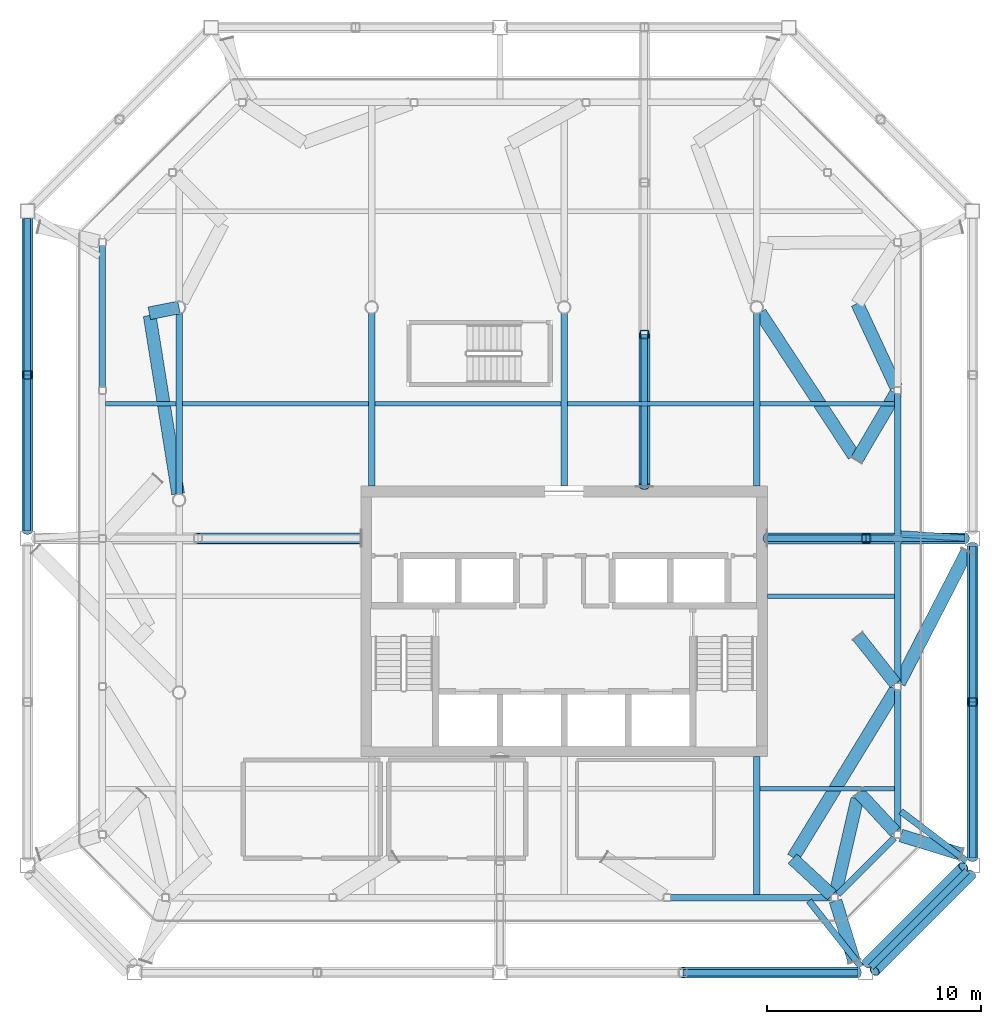
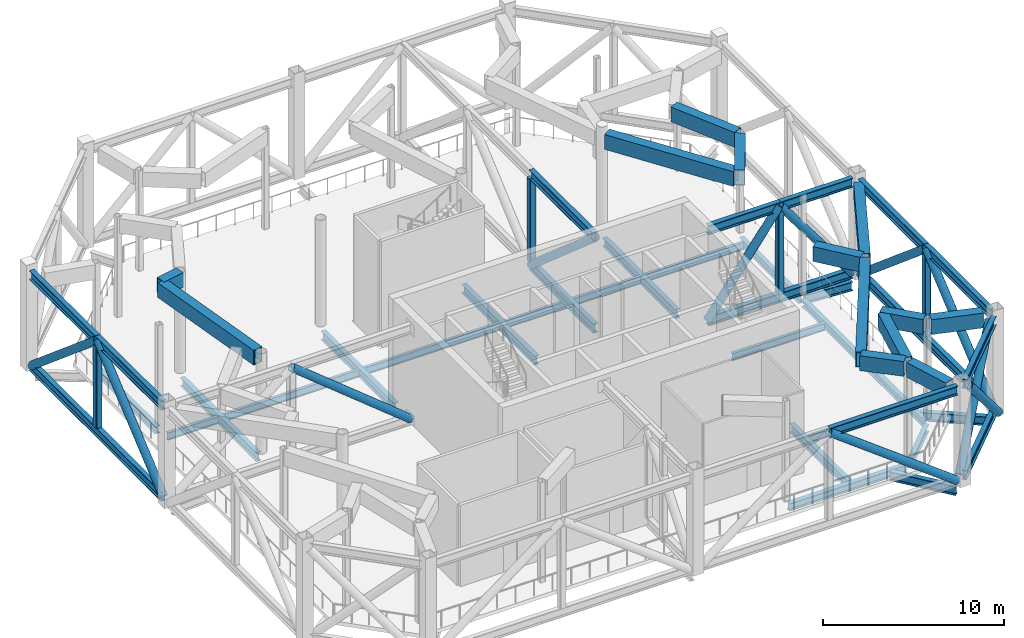
# One storey, part 4 of 17: 49 beams, 15 members.
"""IFC4 building model written with IfcOpenShell, lengths in metres."""

from ifc_helpers import new_model, si_unit, direction, frame, origin, origin_2d, place, context, subcontext, project, spatial, hollow_rectangle, hollow_circle, i_section, extrude, material, material_profile, profile_set, type_object, element, save


model = new_model("IFC4")

# Units and contexts
model_context = context("Model", 3, precision=1e-05, world=origin(), true_north=direction((0.0, 1.0)))
body_context = subcontext(model_context, "Body", "Model", "MODEL_VIEW")
ifc_project = project(units=[si_unit("LENGTHUNIT", "METRE"), si_unit("AREAUNIT", "SQUARE_METRE"), si_unit("VOLUMEUNIT", "CUBIC_METRE"), si_unit("PLANEANGLEUNIT", "RADIAN"), si_unit("MASSUNIT", "GRAM", prefix="KILO")], contexts=[model_context])

# Site, building, storey
site_placement = place(None, origin())
site = spatial("IfcSite", under=ifc_project, at=site_placement, CompositionType="ELEMENT")
building_placement = place(site_placement, origin())
building = spatial("IfcBuilding", under=site, at=building_placement, Name="Tskaro Facet Tower", CompositionType="ELEMENT")
storey_placement = place(building_placement, frame((0.0, 0.0, 210.0)))
storey = spatial("IfcBuildingStorey", under=building, at=storey_placement, Name="L54", CompositionType="ELEMENT", Elevation=210.0)

# Beams
ifc_material_1 = material(Name="Steel S355J2", Category="steel")
ifc_material_profile_1 = material_profile(ifc_material_1, hollow_rectangle(XDim=0.60009765625, YDim=1.0, WallThickness=0.0400390625, at=origin_2d()), Name="BOX 600x1000x40")
ifc_profile_set_1 = profile_set([ifc_material_profile_1], Name="Steel S355J2")
beam_type_1 = type_object("IfcBeamType", Name="BOX 600x1000x40 transfer girder", PredefinedType="BEAM", material=ifc_profile_set_1)
beam_1_placement = place(storey_placement, frame((18.833251953125, -2.40185546875, 6.280029296875), z_axis=(-0.457857092159, -0.889025805677, 0.0), x_axis=(0.889025805677, -0.457857092159, 0.0)))
element("IfcBeam", 1, at=beam_1_placement, inside=storey, type_object=beam_type_1, Name="BOX 600x1000x40 TG5-1", PredefinedType="BEAM", context=body_context, shape_type="SweptSolid", body=[
    extrude(hollow_rectangle(XDim=0.60009765625, YDim=1.0, WallThickness=0.0400390625, at=origin_2d()), origin(), (0.0, 0.0, 1.0), 6.93408203125),
])
for number, where, z_axis, x_axis, name in (
    (2, (13.556884765625, -21.559814453125, 6.280029296875), (-0.296409620077, 0.955060907548, 0.0), (-0.955060907548, -0.296409620077, 0.0), "BOX 600x1000x40 TG5-3"),
    (3, (18.559814453125, -16.556884765625, 6.280029296875), (-0.955060907548, 0.296409620077, 0.0), (-0.296409620077, -0.955060907548, 0.0), "BOX 600x1000x40 TG5-5"),
):
    element("IfcBeam", number, at=place(storey_placement, frame(where, z_axis=z_axis, x_axis=x_axis)), inside=storey, type_object=beam_type_1, Name=name, PredefinedType="BEAM", context=body_context, shape_type="SweptSolid", body=[
        extrude(hollow_rectangle(XDim=0.60009765625, YDim=1.0, WallThickness=0.0400390625, at=origin_2d()), origin(), (0.0, 0.0, 1.0), 2.951904296875),
    ])
beam_2_placement = place(storey_placement, frame((-19.39111328125, 8.72509765625, 6.280029296875), z_axis=(0.981028383431, 0.193864155799, 0.0), x_axis=(-0.193864155799, 0.981028383431, 0.0)))
element("IfcBeam", 4, at=beam_2_placement, inside=storey, type_object=beam_type_1, Name="BOX 600x1000x40 TG5-11", PredefinedType="BEAM", context=body_context, shape_type="SweptSolid", body=[
    extrude(hollow_rectangle(XDim=0.60009765625, YDim=1.0, WallThickness=0.0400390625, at=origin_2d()), origin(), (0.0, 0.0, 1.0), 1.41796875),
])
beam_3_placement = place(storey_placement, frame((-19.375244140625, 8.626220703125, 6.280029296875), z_axis=(0.157443322787, -0.987528024974, 0.0), x_axis=(0.987528024974, 0.157443322787, 0.0)))
element("IfcBeam", 5, at=beam_3_placement, inside=storey, type_object=beam_type_1, Name="BOX 600x1000x40 TG5-12", PredefinedType="BEAM", context=body_context, shape_type="SweptSolid", body=[
    extrude(hollow_rectangle(XDim=0.60009765625, YDim=1.0, WallThickness=0.0400390625, at=origin_2d()), origin(), (0.0, 0.0, 1.0), 8.440185546875),
])
beam_4_placement = place(storey_placement, frame((10.67138671875, -16.764892578125, 6.280029296875), z_axis=(0.733399539589, -0.679797848872, 0.0), x_axis=(0.679797848872, 0.733399539589, 0.0)))
element("IfcBeam", 6, at=beam_4_placement, inside=storey, type_object=beam_type_1, Name="BOX 600x1000x40 TG5-16", PredefinedType="BEAM", context=body_context, shape_type="SweptSolid", body=[
    extrude(hollow_rectangle(XDim=0.60009765625, YDim=1.0, WallThickness=0.0400390625, at=origin_2d()), origin(), (0.0, 0.0, 1.0), 2.509765625),
])
beam_5_placement = place(storey_placement, frame((10.70263671875, -16.713623046875, 6.280029296875), z_axis=(0.520752631069, 0.853707618119, 0.0), x_axis=(-0.853707618119, 0.520752631069, 0.0)))
element("IfcBeam", 7, at=beam_5_placement, inside=storey, type_object=beam_type_1, Name="BOX 600x1000x40 TG5-17", PredefinedType="BEAM", context=body_context, shape_type="SweptSolid", body=[
    extrude(hollow_rectangle(XDim=0.60009765625, YDim=1.0, WallThickness=0.0400390625, at=origin_2d()), origin(), (0.0, 0.0, 1.0), 9.206787109375),
])
beam_6_placement = place(storey_placement, frame((13.764892578125, -13.67138671875, 6.280029296875), z_axis=(0.679797848872, -0.733399539589, 0.0), x_axis=(0.733399539589, 0.679797848872, 0.0)))
element("IfcBeam", 8, at=beam_6_placement, inside=storey, type_object=beam_type_1, Name="BOX 600x1000x40 TG5-18", PredefinedType="BEAM", context=body_context, shape_type="SweptSolid", body=[
    extrude(hollow_rectangle(XDim=0.60009765625, YDim=1.0, WallThickness=0.0400390625, at=origin_2d()), origin(), (0.0, 0.0, 1.0), 2.509765625),
])
beam_7_placement = place(storey_placement, frame((13.697509765625, -13.963623046875, 6.280029296875), z_axis=(-0.224539932658, -0.974464888358, 0.0), x_axis=(0.974464888358, -0.224539932658, 0.0)))
element("IfcBeam", 9, at=beam_7_placement, inside=storey, type_object=beam_type_1, Name="BOX 600x1000x40 TG5-19", PredefinedType="BEAM", context=body_context, shape_type="SweptSolid", body=[
    extrude(hollow_rectangle(XDim=0.60009765625, YDim=1.0, WallThickness=0.0400390625, at=origin_2d()), origin(), (0.0, 0.0, 1.0), 4.575439453125),
])
beam_8_placement = place(storey_placement, frame((13.73193359375, -6.36865234375, 6.280029296875), z_axis=(0.619691972879, -0.784845117682, 0.0), x_axis=(0.784845117682, 0.619691972879, 0.0)))
element("IfcBeam", 10, at=beam_8_placement, inside=storey, type_object=beam_type_1, Name="BOX 600x1000x40 TG5-24", PredefinedType="BEAM", context=body_context, shape_type="SweptSolid", body=[
    extrude(hollow_rectangle(XDim=0.60009765625, YDim=1.0, WallThickness=0.0400390625, at=origin_2d()), origin(), (0.0, 0.0, 1.0), 2.822021484375),
])
beam_9_placement = place(storey_placement, frame((13.66943359375, 1.8681640625, 6.280029296875), z_axis=(0.506494421335, 0.862243237814, 0.0), x_axis=(-0.862243237814, 0.506494421335, 0.0)))
element("IfcBeam", 11, at=beam_9_placement, inside=storey, type_object=beam_type_1, Name="BOX 600x1000x40 TG5-27", PredefinedType="BEAM", context=body_context, shape_type="SweptSolid", body=[
    extrude(hollow_rectangle(XDim=0.60009765625, YDim=1.0, WallThickness=0.0400390625, at=origin_2d()), origin(), (0.0, 0.0, 1.0), 3.61328125),
])
beam_10_placement = place(storey_placement, frame((13.5380859375, 2.069091796875, 6.280029296875), z_axis=(-0.54778441361, 0.836619528942, 0.0), x_axis=(-0.836619528942, -0.54778441361, 0.0)))
element("IfcBeam", 12, at=beam_10_placement, inside=storey, type_object=beam_type_1, Name="BOX 600x1000x40 TG5-28", PredefinedType="BEAM", context=body_context, shape_type="SweptSolid", body=[
    extrude(hollow_rectangle(XDim=0.60009765625, YDim=1.0, WallThickness=0.0400390625, at=origin_2d()), origin(), (0.0, 0.0, 1.0), 7.989501953125),
])
beam_11_placement = place(storey_placement, frame((13.694091796875, 9.18408203125, 6.280029296875), z_axis=(0.422007913088, -0.906592147159, 0.0), x_axis=(0.906592147159, 0.422007913088, 0.0)))
element("IfcBeam", 13, at=beam_11_placement, inside=storey, type_object=beam_type_1, Name="BOX 600x1000x40 TG5-32", PredefinedType="BEAM", context=body_context, shape_type="SweptSolid", body=[
    extrude(hollow_rectangle(XDim=0.60009765625, YDim=1.0, WallThickness=0.0400390625, at=origin_2d()), origin(), (0.0, 0.0, 1.0), 4.31103515625),
])

# Members
ifc_material_2 = material(Name="Steel S355J2H", Category="steel")
ifc_material_profile_2 = material_profile(ifc_material_2, hollow_circle(Radius=0.25390625, WallThickness=0.02490234375, at=origin_2d()), Name="CHS 508x25")
ifc_profile_set_2 = profile_set([ifc_material_profile_2], Name="Steel S355J2H")
member_type_1 = type_object("IfcMemberType", Name="CHS 508x25 belt diagonal", PredefinedType="BRACE", material=ifc_profile_set_2)
member_1_placement = place(storey_placement, frame((5.5419921875, -22.0849609375, 6.469970703125), z_axis=(0.799250481473, 0.0, -0.600998059785), x_axis=(0.0, 1.0, 0.0)))
element("IfcMember", 14, at=member_1_placement, inside=storey, type_object=member_type_1, Name="CHS 508x25 BD4-022", PredefinedType="BRACE", context=body_context, shape_type="SweptSolid", body=[
    extrude(hollow_circle(Radius=0.25390625, WallThickness=0.02490234375, at=origin_2d()), origin(), (0.0, 0.0, 1.0), 10.24951171875),
])
for number, where, z_axis, x_axis, name in (
    (15, (14.15185546875, -21.657958984375, 0.31005859375), (0.508411955211, 0.508411955211, 0.69500688313), (-0.707106781187, 0.707106781187, 0.0), "CHS 508x25 BD4-031"),
    (16, (14.510986328125, -22.01708984375, 6.469970703125), (0.508411955211, 0.508411955211, -0.69500688313), (-0.707106781187, 0.707106781187, 0.0), "CHS 508x25 BD4-032"),
):
    element("IfcMember", number, at=place(storey_placement, frame(where, z_axis=z_axis, x_axis=x_axis)), inside=storey, type_object=member_type_1, Name=name, PredefinedType="BRACE", context=body_context, shape_type="SweptSolid", body=[
        extrude(hollow_circle(Radius=0.25390625, WallThickness=0.02490234375, at=origin_2d()), origin(), (0.0, 0.0, 1.0), 8.863037109375),
    ])
for number, where, z_axis, x_axis, name in (
    (17, (19.0849609375, -16.73388671875, 0.31005859375), (0.0, 0.764063805812, 0.645140682834), (-1.0, 0.0, 0.0), "CHS 508x25 BD4-041"),
    (18, (19.0849609375, -9.4384765625, 6.469970703125), (0.0, 0.764063805812, -0.645140682834), (-1.0, 0.0, 0.0), "CHS 508x25 BD4-042"),
):
    element("IfcMember", number, at=place(storey_placement, frame(where, z_axis=z_axis, x_axis=x_axis)), inside=storey, type_object=member_type_1, Name=name, PredefinedType="BRACE", context=body_context, shape_type="SweptSolid", body=[
        extrude(hollow_circle(Radius=0.25390625, WallThickness=0.02490234375, at=origin_2d()), origin(), (0.0, 0.0, 1.0), 9.548095703125),
    ])
member_2_placement = place(storey_placement, frame((-25.0849609375, 13.14697265625, 0.31005859375), z_axis=(0.0, -0.764042520292, 0.645165891214), x_axis=(1.0, 0.0, 0.0)))
element("IfcMember", 19, at=member_2_placement, inside=storey, type_object=member_type_1, Name="CHS 508x25 BD4-101", PredefinedType="BRACE", context=body_context, shape_type="SweptSolid", body=[
    extrude(hollow_circle(Radius=0.25390625, WallThickness=0.02490234375, at=origin_2d()), origin(), (0.0, 0.0, 1.0), 9.5478515625),
])
member_3_placement = place(storey_placement, frame((-25.0849609375, 5.85205078125, 6.469970703125), z_axis=(0.0, -0.764053163364, -0.645153286866), x_axis=(1.0, 0.0, 0.0)))
element("IfcMember", 20, at=member_3_placement, inside=storey, type_object=member_type_1, Name="CHS 508x25 BD4-102", PredefinedType="BRACE", context=body_context, shape_type="SweptSolid", body=[
    extrude(hollow_circle(Radius=0.25390625, WallThickness=0.02490234375, at=origin_2d()), origin(), (0.0, 0.0, 1.0), 9.548095703125),
])
ifc_material_profile_3 = material_profile(ifc_material_2, hollow_circle(Radius=0.25390625, WallThickness=0.02490234375, at=origin_2d()), Name="CHS 508x25")
ifc_profile_set_3 = profile_set([ifc_material_profile_3], Name="Steel S355J2H")
member_type_2 = type_object("IfcMemberType", Name="CHS 508x25 outrigger truss diagonal", PredefinedType="BRACE", material=ifc_profile_set_3)
for number, where, z_axis, x_axis, name in (
    (21, (18.735107421875, -1.79296875, 0.31005859375), (-0.599812244846, 0.0, 0.800140781946), (0.0, -1.0, 0.0), "Outrigger truss diagonal OR4E-D1"),
    (22, (14.117431640625, -1.79296875, 6.469970703125), (-0.599791941055, 0.0, -0.800156001943), (0.0, -1.0, 0.0), "Outrigger truss diagonal OR4E-D2"),
):
    element("IfcMember", number, at=place(storey_placement, frame(where, z_axis=z_axis, x_axis=x_axis)), inside=storey, type_object=member_type_2, Name=name, PredefinedType="BRACE", context=body_context, shape_type="SweptSolid", body=[
        extrude(hollow_circle(Radius=0.25390625, WallThickness=0.02490234375, at=origin_2d()), origin(), (0.0, 0.0, 1.0), 7.698486328125),
    ])
member_4_placement = place(storey_placement, frame((3.74853515625, 7.74169921875, 0.31005859375), z_axis=(0.0, -0.754967425633, 0.655762294001), x_axis=(1.0, 0.0, 0.0)))
element("IfcMember", 23, at=member_4_placement, inside=storey, type_object=member_type_2, Name="Outrigger truss diagonal OR4N-D3", PredefinedType="BRACE", context=body_context, shape_type="SweptSolid", body=[
    extrude(hollow_circle(Radius=0.25390625, WallThickness=0.02490234375, at=origin_2d()), origin(), (0.0, 0.0, 1.0), 9.3935546875),
])
member_5_placement = place(storey_placement, frame((-17.117431640625, -1.79296875, 6.469970703125), z_axis=(0.777573249595, 0.0, -0.62879236757), x_axis=(0.0, 1.0, 0.0)))
element("IfcMember", 24, at=member_5_placement, inside=storey, type_object=member_type_2, Name="Outrigger truss diagonal OR4W-D2", PredefinedType="BRACE", context=body_context, shape_type="SweptSolid", body=[
    extrude(hollow_circle(Radius=0.25390625, WallThickness=0.02490234375, at=origin_2d()), origin(), (0.0, 0.0, 1.0), 9.79638671875),
])

# Beams
ifc_material_profile_4 = material_profile(ifc_material_1, i_section(OverallWidth=0.300048828125, OverallDepth=0.5, WebThickness=0.014404296875, FlangeThickness=0.028076171875, FilletRadius=0.027099609375, at=origin_2d()), Name="HE 500 B")
ifc_profile_set_4 = profile_set([ifc_material_profile_4], Name="Steel S355J2")
beam_type_2 = type_object("IfcBeamType", Name="HE 500 B ring beam", PredefinedType="BEAM", material=ifc_profile_set_4)
beam_12_placement = place(storey_placement, frame((4.971923828125, -18.5830078125, -0.5), z_axis=(1.0, 0.0, 0.0), x_axis=(0.0, 1.0, 0.0)))
element("IfcBeam", 25, at=beam_12_placement, inside=storey, type_object=beam_type_2, Name="HE 500 B EB4-4", PredefinedType="BEAM", context=body_context, shape_type="SweptSolid", body=[
    extrude(i_section(OverallWidth=0.300048828125, OverallDepth=0.5, WebThickness=0.014404296875, FlangeThickness=0.028076171875, FilletRadius=0.027099609375, at=origin_2d()), origin(), (0.0, 0.0, 1.0), 7.506103515625),
])
beam_13_placement = place(storey_placement, frame((12.7939453125, -18.422119140625, -0.5), z_axis=(0.707106781187, 0.707106781187, 0.0), x_axis=(-0.707106781187, 0.707106781187, 0.0)))
element("IfcBeam", 26, at=beam_13_placement, inside=storey, type_object=beam_type_2, Name="HE 500 B EB5-4", PredefinedType="BEAM", context=body_context, shape_type="SweptSolid", body=[
    extrude(i_section(OverallWidth=0.300048828125, OverallDepth=0.5, WebThickness=0.014404296875, FlangeThickness=0.028076171875, FilletRadius=0.027099609375, at=origin_2d()), origin(), (0.0, 0.0, 1.0), 3.716796875),
])
for number, where, z_axis, x_axis, name in (
    (27, (15.5830078125, -15.47802734375, -0.5), (0.0, 1.0, 0.0), (-1.0, 0.0, 0.0), "HE 500 B EB6-4"),
    (28, (15.5830078125, -8.55810546875, -0.5), (0.0, 1.0, 0.0), (-1.0, 0.0, 0.0), "HE 500 B EB7-4"),
):
    element("IfcBeam", number, at=place(storey_placement, frame(where, z_axis=z_axis, x_axis=x_axis)), inside=storey, type_object=beam_type_2, Name=name, PredefinedType="BEAM", context=body_context, shape_type="SweptSolid", body=[
        extrude(i_section(OverallWidth=0.300048828125, OverallDepth=0.5, WebThickness=0.014404296875, FlangeThickness=0.028076171875, FilletRadius=0.027099609375, at=origin_2d()), origin(), (0.0, 0.0, 1.0), 6.610107421875),
    ])
beam_14_placement = place(storey_placement, frame((15.5830078125, -1.637939453125, -0.5), z_axis=(0.0, 1.0, 0.0), x_axis=(-1.0, 0.0, 0.0)))
element("IfcBeam", 29, at=beam_14_placement, inside=storey, type_object=beam_type_2, Name="HE 500 B EB8-4", PredefinedType="BEAM", context=body_context, shape_type="SweptSolid", body=[
    extrude(i_section(OverallWidth=0.300048828125, OverallDepth=0.5, WebThickness=0.014404296875, FlangeThickness=0.028076171875, FilletRadius=0.027099609375, at=origin_2d()), origin(), (0.0, 0.0, 1.0), 6.60888671875),
])
beam_15_placement = place(storey_placement, frame((-21.5830078125, 11.89111328125, -0.5), z_axis=(0.0, -1.0, 0.0), x_axis=(1.0, 0.0, 0.0)))
element("IfcBeam", 30, at=beam_15_placement, inside=storey, type_object=beam_type_2, Name="HE 500 B EB17-4", PredefinedType="BEAM", context=body_context, shape_type="SweptSolid", body=[
    extrude(i_section(OverallWidth=0.300048828125, OverallDepth=0.5, WebThickness=0.014404296875, FlangeThickness=0.028076171875, FilletRadius=0.027099609375, at=origin_2d()), origin(), (0.0, 0.0, 1.0), 6.610107421875),
])
ifc_material_profile_5 = material_profile(ifc_material_1, i_section(OverallWidth=0.300048828125, OverallDepth=0.590087890625, WebThickness=0.012939453125, FlangeThickness=0.02490234375, FilletRadius=0.027099609375, at=origin_2d()), Name="HE 600 A")
ifc_profile_set_5 = profile_set([ifc_material_profile_5], Name="Steel S355J2")
beam_type_3 = type_object("IfcBeamType", Name="HE 600 A girder", PredefinedType="BEAM", material=ifc_profile_set_5)
beam_16_placement = place(storey_placement, frame((-18.0, 0.27490234375, -0.544921875), z_axis=(0.0, 1.0, 0.0), x_axis=(-1.0, 0.0, 0.0)))
element("IfcBeam", 31, at=beam_16_placement, inside=storey, type_object=beam_type_3, Name="HE 600 A GB2-3-4", PredefinedType="BEAM", context=body_context, shape_type="SweptSolid", body=[
    extrude(i_section(OverallWidth=0.300048828125, OverallDepth=0.590087890625, WebThickness=0.012939453125, FlangeThickness=0.02490234375, FilletRadius=0.027099609375, at=origin_2d()), origin(), (0.0, 0.0, 1.0), 8.4501953125),
])
for number, where, z_axis, x_axis, name in (
    (32, (-9.0, 0.64990234375, -0.544921875), (0.0, 1.0, 0.0), (-1.0, 0.0, 0.0), "HE 600 A GB3-2-4"),
    (33, (0.0, 0.64990234375, -0.544921875), (0.0, 1.0, 0.0), (-1.0, 0.0, 0.0), "HE 600 A GB4-2-4"),
):
    element("IfcBeam", number, at=place(storey_placement, frame(where, z_axis=z_axis, x_axis=x_axis)), inside=storey, type_object=beam_type_3, Name=name, PredefinedType="BEAM", context=body_context, shape_type="SweptSolid", body=[
        extrude(i_section(OverallWidth=0.300048828125, OverallDepth=0.590087890625, WebThickness=0.012939453125, FlangeThickness=0.02490234375, FilletRadius=0.027099609375, at=origin_2d()), origin(), (0.0, 0.0, 1.0), 8.0751953125),
    ])
beam_17_placement = place(storey_placement, frame((9.0, -18.43310546875, -0.544921875), z_axis=(0.0, 1.0, 0.0), x_axis=(-1.0, 0.0, 0.0)))
element("IfcBeam", 34, at=beam_17_placement, inside=storey, type_object=beam_type_3, Name="HE 600 A GB5-1-4", PredefinedType="BEAM", context=body_context, shape_type="SweptSolid", body=[
    extrude(i_section(OverallWidth=0.300048828125, OverallDepth=0.590087890625, WebThickness=0.012939453125, FlangeThickness=0.02490234375, FilletRadius=0.027099609375, at=origin_2d()), origin(), (0.0, 0.0, 1.0), 6.43310546875),
])
beam_18_placement = place(storey_placement, frame((9.0, 0.64990234375, -0.544921875), z_axis=(0.0, 1.0, 0.0), x_axis=(-1.0, 0.0, 0.0)))
element("IfcBeam", 35, at=beam_18_placement, inside=storey, type_object=beam_type_3, Name="HE 600 A GB5-2-4", PredefinedType="BEAM", context=body_context, shape_type="SweptSolid", body=[
    extrude(i_section(OverallWidth=0.300048828125, OverallDepth=0.590087890625, WebThickness=0.012939453125, FlangeThickness=0.02490234375, FilletRadius=0.027099609375, at=origin_2d()), origin(), (0.0, 0.0, 1.0), 8.0751953125),
])
ifc_material_profile_6 = material_profile(ifc_material_1, i_section(OverallWidth=0.300048828125, OverallDepth=0.60009765625, WebThickness=0.015380859375, FlangeThickness=0.030029296875, FilletRadius=0.027099609375, at=origin_2d()), Name="HE 600 B")
ifc_profile_set_6 = profile_set([ifc_material_profile_6], Name="Steel S355J2")
beam_type_4 = type_object("IfcBeamType", Name="HE 600 B floor strut", PredefinedType="BEAM", material=ifc_profile_set_6)
beam_19_placement = place(storey_placement, frame((13.8671875, -21.81005859375, -0.550048828125), z_axis=(-0.619124979964, 0.785292467291, 0.0), x_axis=(-0.785292467291, -0.619124979964, 0.0)))
element("IfcBeam", 36, at=beam_19_placement, inside=storey, type_object=beam_type_4, Name="HE 600 B ES4-03", PredefinedType="BEAM", context=body_context, shape_type="SweptSolid", body=[
    extrude(i_section(OverallWidth=0.300048828125, OverallDepth=0.60009765625, WebThickness=0.015380859375, FlangeThickness=0.030029296875, FilletRadius=0.027099609375, at=origin_2d()), origin(), (0.0, 0.0, 1.0), 3.91845703125),
])
beam_20_placement = place(storey_placement, frame((18.8056640625, -16.873046875, -0.550048828125), z_axis=(-0.798215616898, 0.602371836111, 0.0), x_axis=(-0.602371836111, -0.798215616898, 0.0)))
element("IfcBeam", 37, at=beam_20_placement, inside=storey, type_object=beam_type_4, Name="HE 600 B ES4-04", PredefinedType="BEAM", context=body_context, shape_type="SweptSolid", body=[
    extrude(i_section(OverallWidth=0.300048828125, OverallDepth=0.60009765625, WebThickness=0.015380859375, FlangeThickness=0.030029296875, FilletRadius=0.027099609375, at=origin_2d()), origin(), (0.0, 0.0, 1.0), 3.849609375),
])
beam_21_placement = place(storey_placement, frame((18.735595703125, -1.771240234375, -0.550048828125), z_axis=(-0.998061094624, 0.062241878167, 0.0), x_axis=(-0.062241878167, -0.998061094624, 0.0)))
element("IfcBeam", 38, at=beam_21_placement, inside=storey, type_object=beam_type_4, Name="HE 600 B ES4-05", PredefinedType="BEAM", context=body_context, shape_type="SweptSolid", body=[
    extrude(i_section(OverallWidth=0.300048828125, OverallDepth=0.60009765625, WebThickness=0.015380859375, FlangeThickness=0.030029296875, FilletRadius=0.027099609375, at=origin_2d()), origin(), (0.0, 0.0, 1.0), 3.008544921875),
])
ifc_material_profile_7 = material_profile(ifc_material_1, i_section(OverallWidth=0.304931640625, OverallDepth=0.6201171875, WebThickness=0.02099609375, FlangeThickness=0.0400390625, FilletRadius=0.027099609375, at=origin_2d()), Name="HE 600 M")
ifc_profile_set_7 = profile_set([ifc_material_profile_7], Name="Steel S355J2")
beam_type_5 = type_object("IfcBeamType", Name="HE 600 M belt chord", PredefinedType="BEAM", material=ifc_profile_set_7)
beam_22_placement = place(storey_placement, frame((5.5419921875, -22.0849609375, 6.469970703125), z_axis=(1.0, 0.0, 0.0), x_axis=(0.0, 1.0, 0.0)))
element("IfcBeam", 39, at=beam_22_placement, inside=storey, type_object=beam_type_5, Name="HE 600 M BT4-02T2", PredefinedType="BEAM", context=body_context, shape_type="SweptSolid", body=[
    extrude(i_section(OverallWidth=0.304931640625, OverallDepth=0.6201171875, WebThickness=0.02099609375, FlangeThickness=0.0400390625, FilletRadius=0.027099609375, at=origin_2d()), origin(), (0.0, 0.0, 1.0), 8.19189453125),
])
for number, where, z_axis, x_axis, name in (
    (40, (14.33154296875, -21.83740234375, 6.469970703125), (0.707106781187, 0.707106781187, 0.0), (-0.707106781187, 0.707106781187, 0.0), "HE 600 M BT4-03T1"),
    (41, (14.33154296875, -21.83740234375, 0.31005859375), (0.707106781187, 0.707106781187, 0.0), (-0.707106781187, 0.707106781187, 0.0), "HE 600 M BT4-03B1"),
):
    element("IfcBeam", number, at=place(storey_placement, frame(where, z_axis=z_axis, x_axis=x_axis)), inside=storey, type_object=beam_type_5, Name=name, PredefinedType="BEAM", context=body_context, shape_type="SweptSolid", body=[
        extrude(i_section(OverallWidth=0.304931640625, OverallDepth=0.6201171875, WebThickness=0.02099609375, FlangeThickness=0.0400390625, FilletRadius=0.027099609375, at=origin_2d()), origin(), (0.0, 0.0, 1.0), 6.372314453125),
    ])
for number, where, z_axis, x_axis, name in (
    (42, (19.0849609375, -16.73388671875, 6.469970703125), (0.0, 1.0, 0.0), (-1.0, 0.0, 0.0), "HE 600 M BT4-04T1"),
    (43, (19.0849609375, -9.4384765625, 6.469970703125), (0.0, 1.0, 0.0), (-1.0, 0.0, 0.0), "HE 600 M BT4-04T2"),
):
    element("IfcBeam", number, at=place(storey_placement, frame(where, z_axis=z_axis, x_axis=x_axis)), inside=storey, type_object=beam_type_5, Name=name, PredefinedType="BEAM", context=body_context, shape_type="SweptSolid", body=[
        extrude(i_section(OverallWidth=0.304931640625, OverallDepth=0.6201171875, WebThickness=0.02099609375, FlangeThickness=0.0400390625, FilletRadius=0.027099609375, at=origin_2d()), origin(), (0.0, 0.0, 1.0), 7.29541015625),
    ])
beam_23_placement = place(storey_placement, frame((19.0849609375, -16.73388671875, 0.31005859375), z_axis=(0.0, 1.0, 0.0), x_axis=(-1.0, 0.0, 0.0)))
element("IfcBeam", 44, at=beam_23_placement, inside=storey, type_object=beam_type_5, Name="HE 600 M BT4-04B1", PredefinedType="BEAM", context=body_context, shape_type="SweptSolid", body=[
    extrude(i_section(OverallWidth=0.304931640625, OverallDepth=0.6201171875, WebThickness=0.02099609375, FlangeThickness=0.0400390625, FilletRadius=0.027099609375, at=origin_2d()), origin(), (0.0, 0.0, 1.0), 14.5908203125),
])
beam_24_placement = place(storey_placement, frame((-25.0849609375, 13.14697265625, 6.469970703125), z_axis=(0.0, -1.0, 0.0), x_axis=(1.0, 0.0, 0.0)))
element("IfcBeam", 45, at=beam_24_placement, inside=storey, type_object=beam_type_5, Name="HE 600 M BT4-10T1", PredefinedType="BEAM", context=body_context, shape_type="SweptSolid", body=[
    extrude(i_section(OverallWidth=0.304931640625, OverallDepth=0.6201171875, WebThickness=0.02099609375, FlangeThickness=0.0400390625, FilletRadius=0.027099609375, at=origin_2d()), origin(), (0.0, 0.0, 1.0), 7.294921875),
])
beam_25_placement = place(storey_placement, frame((-25.0849609375, 5.85205078125, 6.469970703125), z_axis=(0.0, -1.0, 0.0), x_axis=(1.0, 0.0, 0.0)))
element("IfcBeam", 46, at=beam_25_placement, inside=storey, type_object=beam_type_5, Name="HE 600 M BT4-10T2", PredefinedType="BEAM", context=body_context, shape_type="SweptSolid", body=[
    extrude(i_section(OverallWidth=0.304931640625, OverallDepth=0.6201171875, WebThickness=0.02099609375, FlangeThickness=0.0400390625, FilletRadius=0.027099609375, at=origin_2d()), origin(), (0.0, 0.0, 1.0), 7.295166015625),
])
beam_26_placement = place(storey_placement, frame((-25.0849609375, 13.14697265625, 0.31005859375), z_axis=(0.0, -1.0, 0.0), x_axis=(1.0, 0.0, 0.0)))
element("IfcBeam", 47, at=beam_26_placement, inside=storey, type_object=beam_type_5, Name="HE 600 M BT4-10B1", PredefinedType="BEAM", context=body_context, shape_type="SweptSolid", body=[
    extrude(i_section(OverallWidth=0.304931640625, OverallDepth=0.6201171875, WebThickness=0.02099609375, FlangeThickness=0.0400390625, FilletRadius=0.027099609375, at=origin_2d()), origin(), (0.0, 0.0, 1.0), 14.590087890625),
])
ifc_material_profile_8 = material_profile(ifc_material_1, i_section(OverallWidth=0.304931640625, OverallDepth=0.6201171875, WebThickness=0.02099609375, FlangeThickness=0.0400390625, FilletRadius=0.027099609375, at=origin_2d()), Name="HE 600 M")
ifc_profile_set_8 = profile_set([ifc_material_profile_8], Name="Steel S355J2")
beam_type_6 = type_object("IfcBeamType", Name="HE 600 M outrigger truss chord", PredefinedType="BEAM", material=ifc_profile_set_8)
for number, where, z_axis, x_axis, name in (
    (48, (18.735107421875, -1.79296875, 6.469970703125), (-1.0, 0.0, 0.0), (0.0, -1.0, 0.0), "Outrigger truss chord OR4E-T1"),
    (49, (18.735107421875, -1.79296875, 0.31005859375), (-1.0, 0.0, 0.0), (0.0, -1.0, 0.0), "Outrigger truss chord OR4E-B1"),
):
    element("IfcBeam", number, at=place(storey_placement, frame(where, z_axis=z_axis, x_axis=x_axis)), inside=storey, type_object=beam_type_6, Name=name, PredefinedType="BEAM", context=body_context, shape_type="SweptSolid", body=[
        extrude(i_section(OverallWidth=0.304931640625, OverallDepth=0.6201171875, WebThickness=0.02099609375, FlangeThickness=0.0400390625, FilletRadius=0.027099609375, at=origin_2d()), origin(), (0.0, 0.0, 1.0), 4.61767578125),
    ])
for number, where, z_axis, x_axis, name in (
    (50, (14.117431640625, -1.79296875, 6.469970703125), (-1.0, 0.0, 0.0), (0.0, -1.0, 0.0), "Outrigger truss chord OR4E-T2"),
    (51, (14.117431640625, -1.79296875, 0.31005859375), (-1.0, 0.0, 0.0), (0.0, -1.0, 0.0), "Outrigger truss chord OR4E-B2"),
):
    element("IfcBeam", number, at=place(storey_placement, frame(where, z_axis=z_axis, x_axis=x_axis)), inside=storey, type_object=beam_type_6, Name=name, PredefinedType="BEAM", context=body_context, shape_type="SweptSolid", body=[
        extrude(i_section(OverallWidth=0.304931640625, OverallDepth=0.6201171875, WebThickness=0.02099609375, FlangeThickness=0.0400390625, FilletRadius=0.027099609375, at=origin_2d()), origin(), (0.0, 0.0, 1.0), 4.617431640625),
    ])
for number, where, z_axis, x_axis, name in (
    (52, (3.74853515625, 7.74169921875, 6.469970703125), (0.0, -1.0, 0.0), (1.0, 0.0, 0.0), "Outrigger truss chord OR4N-T3"),
    (53, (3.74853515625, 7.74169921875, 0.31005859375), (0.0, -1.0, 0.0), (1.0, 0.0, 0.0), "Outrigger truss chord OR4N-B3"),
):
    element("IfcBeam", number, at=place(storey_placement, frame(where, z_axis=z_axis, x_axis=x_axis)), inside=storey, type_object=beam_type_6, Name=name, PredefinedType="BEAM", context=body_context, shape_type="SweptSolid", body=[
        extrude(i_section(OverallWidth=0.304931640625, OverallDepth=0.6201171875, WebThickness=0.02099609375, FlangeThickness=0.0400390625, FilletRadius=0.027099609375, at=origin_2d()), origin(), (0.0, 0.0, 1.0), 7.091796875),
    ])
ifc_material_profile_9 = material_profile(ifc_material_1, i_section(OverallWidth=0.199951171875, OverallDepth=0.5, WebThickness=0.01025390625, FlangeThickness=0.01611328125, FilletRadius=0.02099609375, at=origin_2d()), Name="IPE 500")
ifc_profile_set_9 = profile_set([ifc_material_profile_9], Name="Steel S355J2")
beam_type_7 = type_object("IfcBeamType", Name="IPE 500 secondary beam", PredefinedType="BEAM", material=ifc_profile_set_9)
beam_27_placement = place(storey_placement, frame((9.14990234375, -13.5, -0.5), z_axis=(1.0, 0.0, 0.0), x_axis=(0.0, 1.0, 0.0)))
element("IfcBeam", 54, at=beam_27_placement, inside=storey, type_object=beam_type_7, Name="IPE 500 SB2a-5-4", PredefinedType="BEAM", context=body_context, shape_type="SweptSolid", body=[
    extrude(i_section(OverallWidth=0.199951171875, OverallDepth=0.5, WebThickness=0.01025390625, FlangeThickness=0.01611328125, FilletRadius=0.02099609375, at=origin_2d()), origin(), (0.0, 0.0, 1.0), 6.283203125),
])
beam_28_placement = place(storey_placement, frame((9.5, -4.5, -0.5), z_axis=(1.0, 0.0, 0.0), x_axis=(0.0, 1.0, 0.0)))
element("IfcBeam", 55, at=beam_28_placement, inside=storey, type_object=beam_type_7, Name="IPE 500 SB3a-3-4", PredefinedType="BEAM", context=body_context, shape_type="SweptSolid", body=[
    extrude(i_section(OverallWidth=0.199951171875, OverallDepth=0.5, WebThickness=0.01025390625, FlangeThickness=0.01611328125, FilletRadius=0.02099609375, at=origin_2d()), origin(), (0.0, 0.0, 1.0), 5.93310546875),
])
beam_29_placement = place(storey_placement, frame((-21.43310546875, 4.5, -0.5), z_axis=(1.0, 0.0, 0.0), x_axis=(0.0, 1.0, 0.0)))
element("IfcBeam", 56, at=beam_29_placement, inside=storey, type_object=beam_type_7, Name="IPE 500 SB4a-1-4", PredefinedType="BEAM", context=body_context, shape_type="SweptSolid", body=[
    extrude(i_section(OverallWidth=0.199951171875, OverallDepth=0.5, WebThickness=0.01025390625, FlangeThickness=0.01611328125, FilletRadius=0.02099609375, at=origin_2d()), origin(), (0.0, 0.0, 1.0), 3.283203125),
])
for number, where, z_axis, x_axis, name in (
    (57, (-17.85009765625, 4.5, -0.5), (1.0, 0.0, 0.0), (0.0, 1.0, 0.0), "IPE 500 SB4a-2-4"),
    (58, (-8.85009765625, 4.5, -0.5), (1.0, 0.0, 0.0), (0.0, 1.0, 0.0), "IPE 500 SB4a-3-4"),
    (59, (0.14990234375, 4.5, -0.5), (1.0, 0.0, 0.0), (0.0, 1.0, 0.0), "IPE 500 SB4a-4-4"),
):
    element("IfcBeam", number, at=place(storey_placement, frame(where, z_axis=z_axis, x_axis=x_axis)), inside=storey, type_object=beam_type_7, Name=name, PredefinedType="BEAM", context=body_context, shape_type="SweptSolid", body=[
        extrude(i_section(OverallWidth=0.199951171875, OverallDepth=0.5, WebThickness=0.01025390625, FlangeThickness=0.01611328125, FilletRadius=0.02099609375, at=origin_2d()), origin(), (0.0, 0.0, 1.0), 8.7001953125),
    ])
beam_30_placement = place(storey_placement, frame((9.14990234375, 4.5, -0.5), z_axis=(1.0, 0.0, 0.0), x_axis=(0.0, 1.0, 0.0)))
element("IfcBeam", 60, at=beam_30_placement, inside=storey, type_object=beam_type_7, Name="IPE 500 SB4a-5-4", PredefinedType="BEAM", context=body_context, shape_type="SweptSolid", body=[
    extrude(i_section(OverallWidth=0.199951171875, OverallDepth=0.5, WebThickness=0.01025390625, FlangeThickness=0.01611328125, FilletRadius=0.02099609375, at=origin_2d()), origin(), (0.0, 0.0, 1.0), 6.283203125),
])

# Members
ifc_material_profile_10 = material_profile(ifc_material_2, hollow_rectangle(XDim=0.39990234375, YDim=0.39990234375, WallThickness=0.02490234375, InnerFilletRadius=0.03759765625, OuterFilletRadius=0.0625, at=origin_2d()), Name="SHS 400x400x25")
ifc_profile_set_10 = profile_set([ifc_material_profile_10], Name="Steel S355J2H")
member_type_3 = type_object("IfcMemberType", Name="SHS 400x400x25 belt post", PredefinedType="POST", material=ifc_profile_set_10)
for number, where, z_axis, x_axis, name in (
    (61, (19.0849609375, -9.4384765625, 0.6201171875), (0.0, 0.0, 1.0), (1.0, 0.0, 0.0), "SHS 400x400x25 BP4-041"),
    (62, (-25.0849609375, 5.85205078125, 0.6201171875), (0.0, 0.0, 1.0), (1.0, 0.0, 0.0), "SHS 400x400x25 BP4-101"),
):
    element("IfcMember", number, at=place(storey_placement, frame(where, z_axis=z_axis, x_axis=x_axis)), inside=storey, type_object=member_type_3, Name=name, PredefinedType="POST", context=body_context, shape_type="SweptSolid", body=[
        extrude(hollow_rectangle(XDim=0.39990234375, YDim=0.39990234375, WallThickness=0.02490234375, InnerFilletRadius=0.03759765625, OuterFilletRadius=0.0625, at=origin_2d()), origin(), (0.0, 0.0, 1.0), 5.539794921875),
    ])
ifc_material_profile_11 = material_profile(ifc_material_2, hollow_rectangle(XDim=0.39990234375, YDim=0.39990234375, WallThickness=0.02490234375, InnerFilletRadius=0.03759765625, OuterFilletRadius=0.0625, at=origin_2d()), Name="SHS 400x400x25")
ifc_profile_set_11 = profile_set([ifc_material_profile_11], Name="Steel S355J2H")
member_type_4 = type_object("IfcMemberType", Name="SHS 400x400x25 outrigger truss post", PredefinedType="POST", material=ifc_profile_set_11)
for number, where, z_axis, x_axis, name in (
    (63, (14.117431640625, -1.79296875, 0.580078125), (0.0, 0.0, 1.0), (1.0, 0.0, 0.0), "Outrigger truss post OR4E-P1"),
    (64, (3.74853515625, 7.74169921875, 0.580078125), (0.0, 0.0, 1.0), (1.0, 0.0, 0.0), "Outrigger truss post OR4N-P2"),
):
    element("IfcMember", number, at=place(storey_placement, frame(where, z_axis=z_axis, x_axis=x_axis)), inside=storey, type_object=member_type_4, Name=name, PredefinedType="POST", context=body_context, shape_type="SweptSolid", body=[
        extrude(hollow_rectangle(XDim=0.39990234375, YDim=0.39990234375, WallThickness=0.02490234375, InnerFilletRadius=0.03759765625, OuterFilletRadius=0.0625, at=origin_2d()), origin(), (0.0, 0.0, 1.0), 5.619873046875),
    ])

save(model, "model.ifc")
